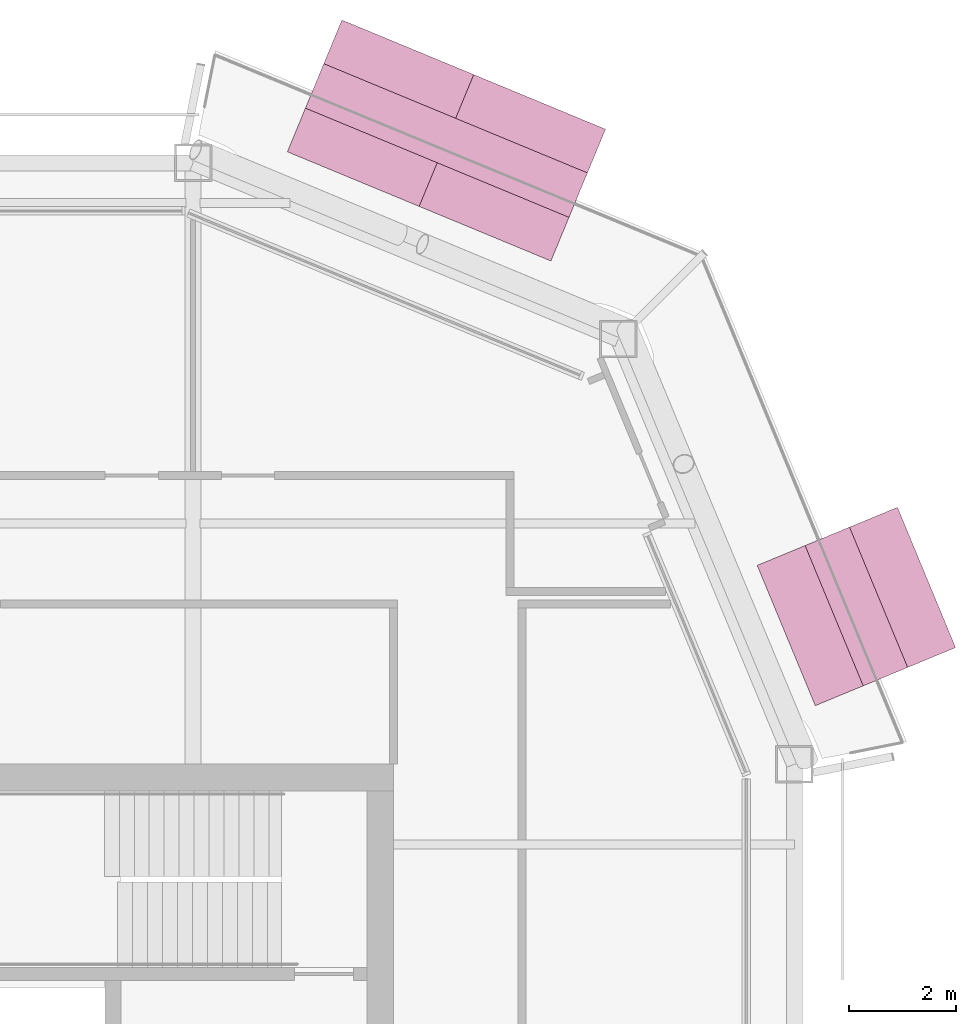
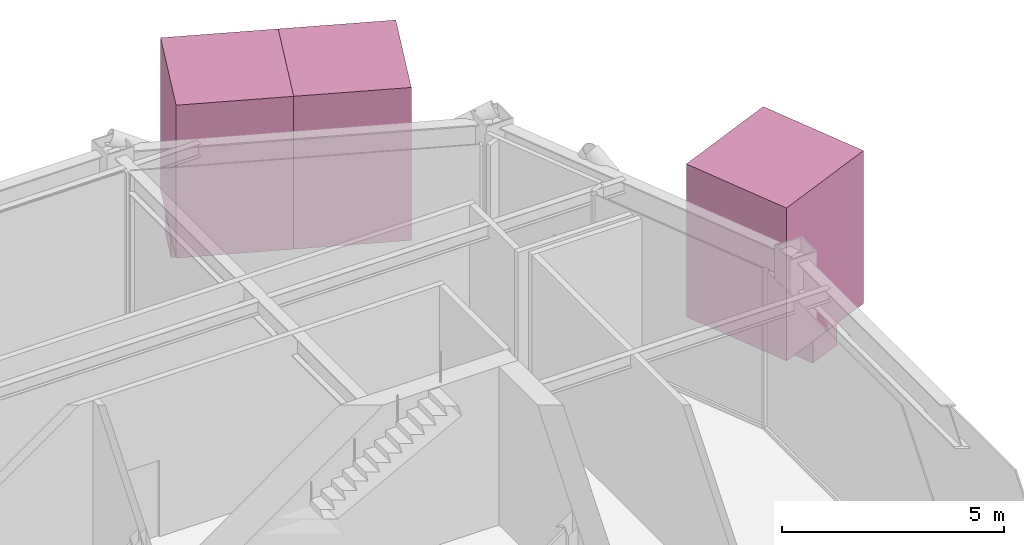
# One storey, part 21 of 21: 5 furnishings.
"""IFC4 building model written with IfcOpenShell, lengths in metres."""

from ifc_helpers import new_model, si_unit, direction, frame, origin, origin_2d, place, context, subcontext, project, spatial, rectangle, extrude, material, type_object, element, save


model = new_model("IFC4")

# Units and contexts
model_context = context("Model", 3, precision=1e-05, world=origin(), true_north=direction((0.0, 1.0)))
body_context = subcontext(model_context, "Body", "Model", "MODEL_VIEW")
ifc_project = project(units=[si_unit("LENGTHUNIT", "METRE"), si_unit("AREAUNIT", "SQUARE_METRE"), si_unit("VOLUMEUNIT", "CUBIC_METRE"), si_unit("PLANEANGLEUNIT", "RADIAN"), si_unit("MASSUNIT", "GRAM", prefix="KILO")], contexts=[model_context])

# Site, building, storey
site_placement = place(None, origin())
site = spatial("IfcSite", under=ifc_project, at=site_placement, CompositionType="ELEMENT")
building_placement = place(site_placement, origin())
building = spatial("IfcBuilding", under=site, at=building_placement, Name="Siwar Civic Tower", CompositionType="ELEMENT")
storey_placement = place(building_placement, frame((0.0, 0.0, 325.699951171875)))
storey = spatial("IfcBuildingStorey", under=building, at=storey_placement, Name="L70", CompositionType="ELEMENT", Elevation=325.699951171875)

# Furnishings
ifc_material_1 = material(Name="Planting soil and foliage")
furnishing_element_type_1 = type_object("IfcFurnishingElementType", Name="ENV-PLANTER", material=ifc_material_1)
furnishing_1_placement = place(storey_placement, frame((25.909423828125, 16.449951171875, 0.0), z_axis=(0.0, 0.0, 1.0), x_axis=(-0.382683432365, 0.923879532511, 0.0)))
element("IfcFurnishingElement", 1, at=furnishing_1_placement, inside=storey, type_object=furnishing_element_type_1, Name="PLANTER NE 1", context=body_context, shape_type="SweptSolid", body=[
    extrude(rectangle(XDim=2.84130859375, YDim=0.89990234375, at=origin_2d()), origin(), (0.0, 0.0, 1.0), 0.60009765625),
])
furnishing_2_placement = place(storey_placement, frame((18.23974609375, 25.16796875, 0.0), z_axis=(0.0, 0.0, 1.0), x_axis=(-0.923879532511, 0.382683432365, 0.0)))
element("IfcFurnishingElement", 2, at=furnishing_2_placement, inside=storey, type_object=furnishing_element_type_1, Name="PLANTER NE 2", context=body_context, shape_type="SweptSolid", body=[
    extrude(rectangle(XDim=5.33837890625, YDim=0.89990234375, at=origin_2d()), origin(), (0.0, 0.0, 1.0), 0.60009765625),
])
ifc_material_2 = material(Name="Planting soil and foliage")
furnishing_element_type_2 = type_object("IfcFurnishingElementType", Name="ENV-TREE", material=ifc_material_2)
furnishing_3_placement = place(storey_placement, frame((25.909423828125, 16.449951171875, 0.60009765625), z_axis=(0.0, 0.0, 1.0), x_axis=(-0.382683432365, 0.923879532511, 0.0)))
element("IfcFurnishingElement", 3, at=furnishing_3_placement, inside=storey, type_object=furnishing_element_type_2, Name="PLANTER (TREE) NE 1.1", context=body_context, shape_type="SweptSolid", body=[
    extrude(rectangle(XDim=2.84130859375, YDim=2.84130859375, at=origin_2d()), origin(), (0.0, 0.0, 1.0), 4.199951171875),
])
for number, where, z_axis, x_axis, name in (
    (4, (19.472900390625, 24.6572265625, 0.60009765625), (0.0, 0.0, 1.0), (-0.923879532511, 0.382683432365, 0.0), "PLANTER (TREE) NE 2.1"),
    (5, (17.0068359375, 25.6787109375, 0.60009765625), (0.0, 0.0, 1.0), (-0.923879532511, 0.382683432365, 0.0), "PLANTER (TREE) NE 2.2"),
):
    element("IfcFurnishingElement", number, at=place(storey_placement, frame(where, z_axis=z_axis, x_axis=x_axis)), inside=storey, type_object=furnishing_element_type_2, Name=name, context=body_context, shape_type="SweptSolid", body=[
        extrude(rectangle(XDim=2.669189453125, YDim=2.669189453125, at=origin_2d()), origin(), (0.0, 0.0, 1.0), 4.199951171875),
    ])

save(model, "model.ifc")
